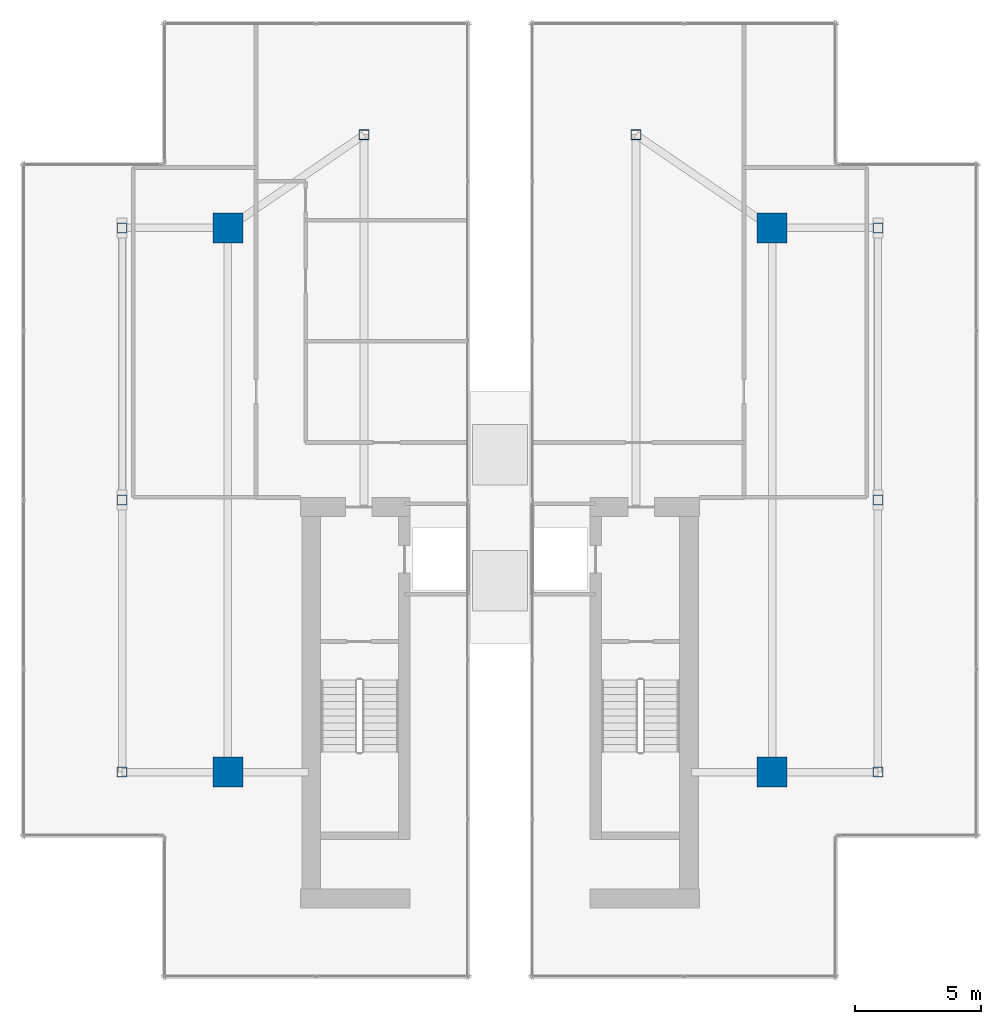
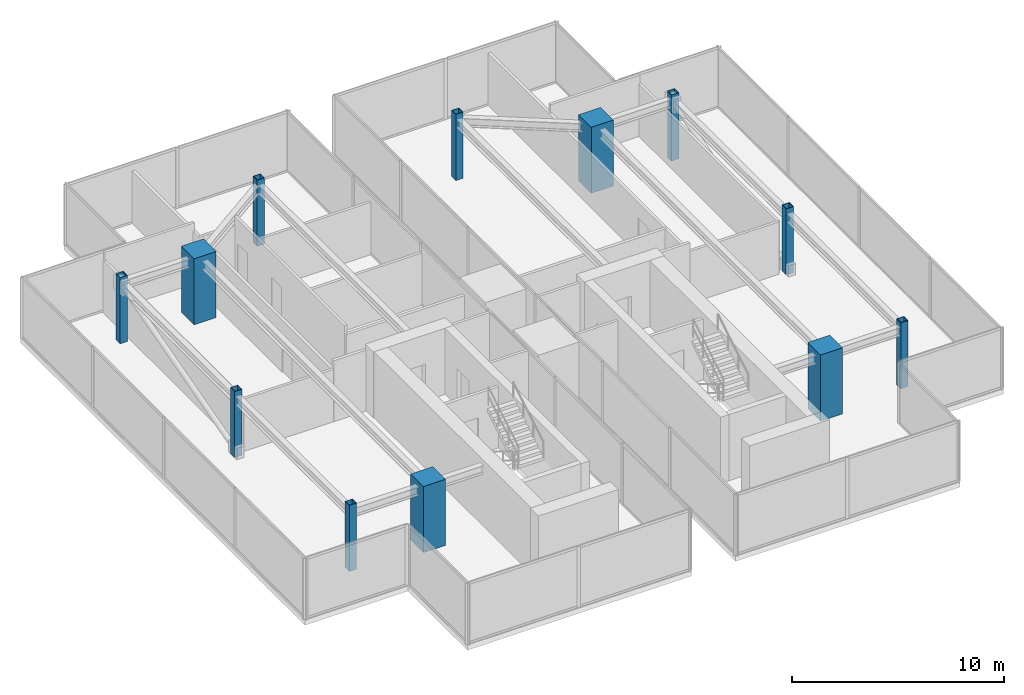
# One storey, part 1 of 25: 12 columns.
"""IFC4 building model written with IfcOpenShell, lengths in metres."""

from ifc_helpers import new_model, si_unit, direction, frame, origin, origin_2d, place, context, subcontext, project, spatial, rectangle, hollow_rectangle, extrude, source, transform, mapped, material, material_profile, profile_set, type_object, type_shapes, element, save


model = new_model("IFC4")

# Units and contexts
model_context = context("Model", 3, precision=1e-05, world=origin(), true_north=direction((0.0, 1.0)))
body_context = subcontext(model_context, "Body", "Model", "MODEL_VIEW")
ifc_project = project(units=[si_unit("LENGTHUNIT", "METRE"), si_unit("AREAUNIT", "SQUARE_METRE"), si_unit("VOLUMEUNIT", "CUBIC_METRE"), si_unit("PLANEANGLEUNIT", "RADIAN"), si_unit("MASSUNIT", "GRAM", prefix="KILO")], contexts=[model_context])

# Site, building, storey
site_placement = place(None, origin())
site = spatial("IfcSite", under=ifc_project, at=site_placement, CompositionType="ELEMENT")
building_placement = place(site_placement, origin())
building = spatial("IfcBuilding", under=site, at=building_placement, Name="Krantzveldt Concourse Tower", CompositionType="ELEMENT")
storey_placement = place(building_placement, frame((0.0, 0.0, 367.050048828125)))
storey = spatial("IfcBuildingStorey", under=building, at=storey_placement, Name="L90", CompositionType="ELEMENT", Elevation=367.050048828125)

# Columns
ifc_material_1 = material(Name="Concrete C50/60", Category="concrete")
ifc_material_profile_1 = material_profile(ifc_material_1, rectangle(XDim=1.199951171875, YDim=1.199951171875, at=origin_2d()), Name="Concrete C50/60", Category="concrete")
ifc_profile_set_1 = profile_set([ifc_material_profile_1], Name="Concrete C50/60 - RC 1200x1200")
column_type_1 = type_object("IfcColumnType", Name="COL-MC-1200", PredefinedType="USERDEFINED", material=ifc_profile_set_1)
shared_shape_1 = source(origin(), body_context, "Body", "SweptSolid", [
    extrude(rectangle(XDim=1.199951171875, YDim=1.199951171875, at=origin_2d()), origin(), (0.0, 0.0, 1.0), 3.800048828125),
])
type_shapes(column_type_1, [shared_shape_1])
for number, where, z_axis, x_axis, name in (
    (1, (25.199951171875, 15.89990234375, 0.0), (0.0, 0.0, 1.0), (1.0, 0.0, 0.0), "MC-SW-L90"),
    (2, (46.800048828125, 15.89990234375, 0.0), (0.0, 0.0, 1.0), (1.0, 0.0, 0.0), "MC-SE-L90"),
    (3, (46.800048828125, 37.5, 0.0), (0.0, 0.0, 1.0), (1.0, 0.0, 0.0), "MC-NE-L90"),
    (4, (25.199951171875, 37.5, 0.0), (0.0, 0.0, 1.0), (1.0, 0.0, 0.0), "MC-NW-L90"),
):
    element("IfcColumn", number, at=place(storey_placement, frame(where, z_axis=z_axis, x_axis=x_axis)), inside=storey, type_object=column_type_1, Name=name, ObjectType="MEGA COLUMN", PredefinedType="USERDEFINED", context=body_context, shape_type="MappedRepresentation", body=[
        mapped(shared_shape_1, transform((0.0, 0.0, 0.0), x_axis=(1.0, 0.0, 0.0), y_axis=(0.0, 1.0, 0.0), z_axis=(0.0, 0.0, 1.0), scale=1.0)),
    ])
ifc_material_2 = material(Name="Steel S355J2", Category="steel")
ifc_material_profile_2 = material_profile(ifc_material_2, hollow_rectangle(XDim=0.39990234375, YDim=0.39990234375, WallThickness=0.02490234375, at=origin_2d()), Name="Steel S355J2", Category="steel")
ifc_profile_set_2 = profile_set([ifc_material_profile_2], Name="Steel S355J2 - SHS 400x400x25")
column_type_2 = type_object("IfcColumnType", Name="COL-SC-SHS400", PredefinedType="COLUMN", material=ifc_profile_set_2)
shared_shape_2 = source(origin(), body_context, "Body", "SweptSolid", [
    extrude(hollow_rectangle(XDim=0.39990234375, YDim=0.39990234375, WallThickness=0.02490234375, at=origin_2d()), origin(), (0.0, 0.0, 1.0), 3.800048828125),
])
type_shapes(column_type_2, [shared_shape_2])
for number, where, z_axis, x_axis, name in (
    (5, (21.0, 15.89990234375, 0.0), (0.0, 0.0, 1.0), (1.0, 0.0, 0.0), "CC-L90-W1"),
    (6, (21.0, 26.699951171875, 0.0), (0.0, 0.0, 1.0), (1.0, 0.0, 0.0), "CC-L90-W2"),
    (7, (21.0, 37.5, 0.0), (0.0, 0.0, 1.0), (1.0, 0.0, 0.0), "CC-L90-W3"),
    (8, (30.60009765625, 41.199951171875, 0.0), (0.0, 0.0, 1.0), (1.0, 0.0, 0.0), "CC-L90-W4"),
    (9, (51.0, 15.89990234375, 0.0), (0.0, 0.0, 1.0), (1.0, 0.0, 0.0), "CC-L90-E1"),
    (10, (51.0, 26.699951171875, 0.0), (0.0, 0.0, 1.0), (1.0, 0.0, 0.0), "CC-L90-E2"),
    (11, (51.0, 37.5, 0.0), (0.0, 0.0, 1.0), (1.0, 0.0, 0.0), "CC-L90-E3"),
    (12, (41.39990234375, 41.199951171875, 0.0), (0.0, 0.0, 1.0), (1.0, 0.0, 0.0), "CC-L90-E4"),
):
    element("IfcColumn", number, at=place(storey_placement, frame(where, z_axis=z_axis, x_axis=x_axis)), inside=storey, type_object=column_type_2, Name=name, PredefinedType="COLUMN", context=body_context, shape_type="MappedRepresentation", body=[
        mapped(shared_shape_2, transform((0.0, 0.0, 0.0), x_axis=(1.0, 0.0, 0.0), y_axis=(0.0, 1.0, 0.0), z_axis=(0.0, 0.0, 1.0), scale=1.0)),
    ])

save(model, "model.ifc")
